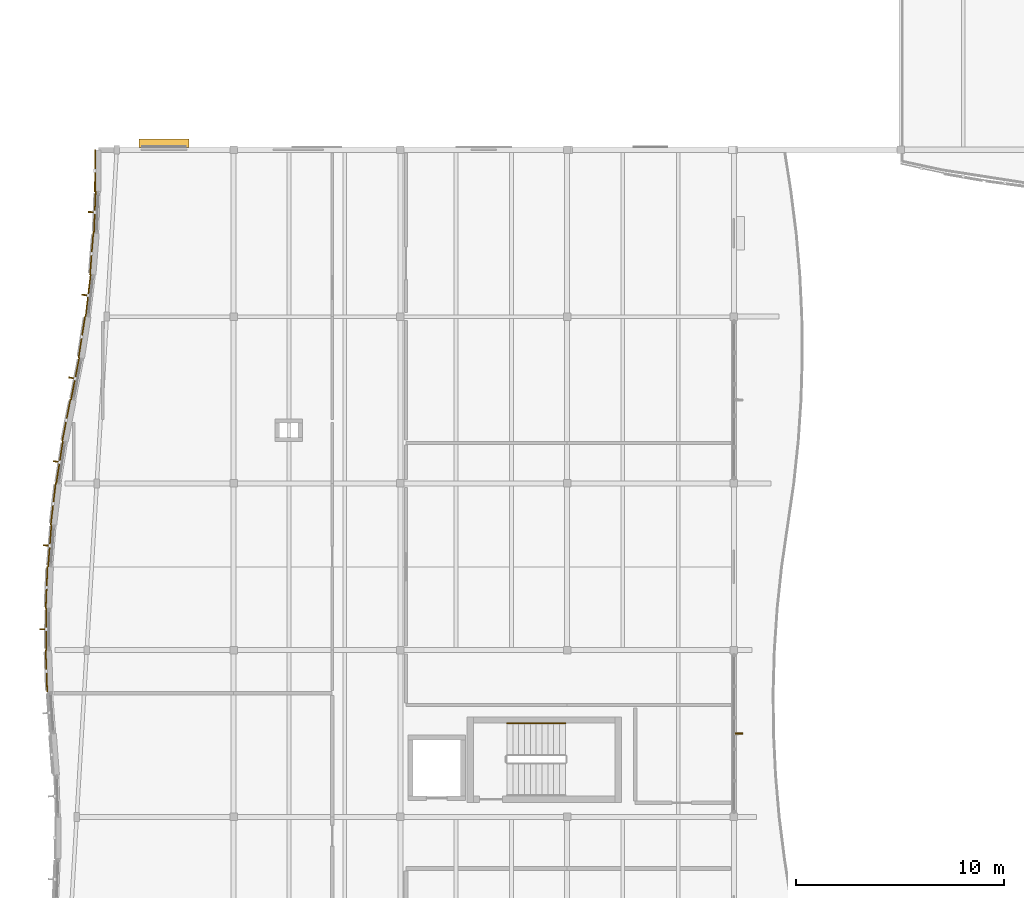
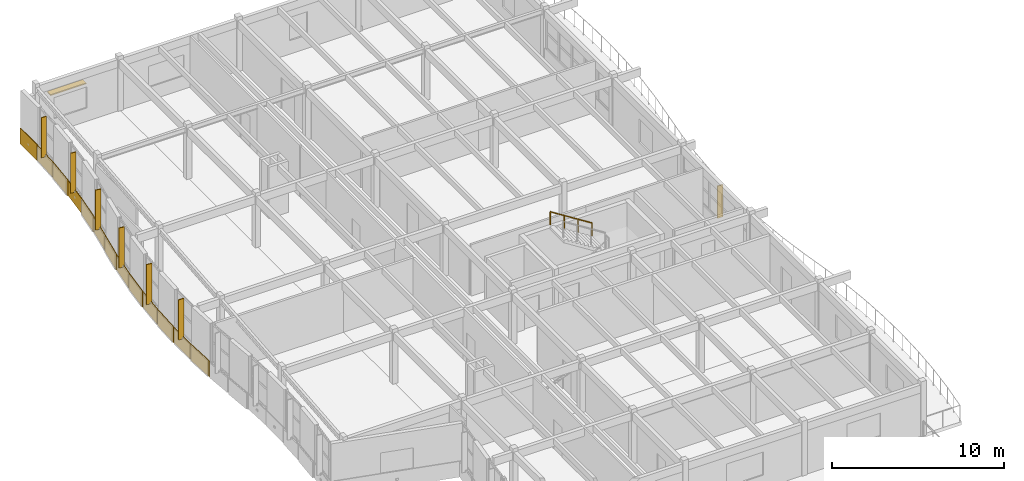
# One storey, part 55 of 63: 13 coverings, 8 shading devices, 1 railing.
"""IFC4 building model written with IfcOpenShell, lengths in metres."""

from ifc_helpers import new_model, si_unit, direction, frame, origin, origin_2d, place, context, subcontext, project, spatial, polyline, rectangle, circle, outline, extrude, material, layer, layer_set, type_object, element, save


model = new_model("IFC4")

# Units and contexts
model_context = context("Model", 3, precision=1e-05, world=origin(), true_north=direction((0.0, 1.0)))
body_context = subcontext(model_context, "Body", "Model", "MODEL_VIEW")
ifc_project = project(units=[si_unit("LENGTHUNIT", "METRE"), si_unit("AREAUNIT", "SQUARE_METRE"), si_unit("VOLUMEUNIT", "CUBIC_METRE"), si_unit("PLANEANGLEUNIT", "RADIAN"), si_unit("MASSUNIT", "GRAM", prefix="KILO")], contexts=[model_context])

# Site, building, storey
site_placement = place(None, origin())
site = spatial("IfcSite", under=ifc_project, at=site_placement, CompositionType="ELEMENT")
building_placement = place(site_placement, origin())
building = spatial("IfcBuilding", under=site, at=building_placement, Name="Tonlespit Floodbar School", CompositionType="ELEMENT")
storey_placement = place(building_placement, frame((0.0, 0.0, 8.39990234375)))
storey = spatial("IfcBuildingStorey", under=building, at=storey_placement, Name="L02", CompositionType="ELEMENT", Elevation=8.39990234375)

# Coverings
ifc_material_1 = material(Name="White Architectural Aluminium", Category="aluminium")
ifc_layer_1 = layer(ifc_material_1, 0.050048828125)
ifc_layer_set_1 = layer_set([ifc_layer_1], Name="White Architectural Aluminium")
covering_type = type_object("IfcCoveringType", Name="Cladding_WhiteBand_50", PredefinedType="CLADDING", material=ifc_layer_set_1)
covering_1_placement = place(storey_placement, frame((0.0, 0.0, -0.119873046875)))
element("IfcCovering", 1, at=covering_1_placement, inside=storey, type_object=covering_type, Name="L02 curved white spandrel cladding 0556", PredefinedType="CLADDING", context=body_context, shape_type="SweptSolid", body=[
    extrude(outline(polyline([(3.08837890625, 69.9951171875), (3.01513671875, 71.9951171875), (2.965087890625, 71.993408203125), (3.038330078125, 69.993408203125), (3.08837890625, 69.9951171875)])), origin(), (0.0, 0.0, 1.0), 1.119873046875),
])
covering_2_placement = place(storey_placement, frame((0.0, 0.0, -0.119873046875)))
element("IfcCovering", 2, at=covering_2_placement, inside=storey, type_object=covering_type, Name="L02 curved white spandrel cladding 0557", PredefinedType="CLADDING", context=body_context, shape_type="SweptSolid", body=[
    extrude(outline(polyline([(3.044921875, 72.000244140625), (3.04931640625, 74.000244140625), (2.99951171875, 74.000244140625), (2.9951171875, 72.000244140625), (3.044921875, 72.000244140625)])), origin(), (0.0, 0.0, 1.0), 1.070068359375),
])
covering_3_placement = place(storey_placement, frame((0.0, 0.0, -0.119873046875)))
element("IfcCovering", 3, at=covering_3_placement, inside=storey, type_object=covering_type, Name="L02 curved white spandrel cladding 0558", PredefinedType="CLADDING", context=body_context, shape_type="SweptSolid", body=[
    extrude(outline(polyline([(3.01953125, 74.00537109375), (3.10107421875, 76.00537109375), (3.051025390625, 76.00732421875), (2.969482421875, 74.00732421875), (3.01953125, 74.00537109375)])), origin(), (0.0, 0.0, 1.0), 1.119873046875),
])
covering_4_placement = place(storey_placement, frame((0.0, 0.0, -0.119873046875)))
element("IfcCovering", 4, at=covering_4_placement, inside=storey, type_object=covering_type, Name="L02 curved white spandrel cladding 0559", PredefinedType="CLADDING", context=body_context, shape_type="SweptSolid", body=[
    extrude(outline(polyline([(3.131103515625, 76.0078125), (3.289794921875, 78.0078125), (3.239990234375, 78.011962890625), (3.081298828125, 76.011962890625), (3.131103515625, 76.0078125)])), origin(), (0.0, 0.0, 1.0), 1.070068359375),
])
covering_5_placement = place(storey_placement, frame((0.0, 0.0, -0.119873046875)))
element("IfcCovering", 5, at=covering_5_placement, inside=storey, type_object=covering_type, Name="L02 curved white spandrel cladding 0560", PredefinedType="CLADDING", context=body_context, shape_type="SweptSolid", body=[
    extrude(outline(polyline([(3.26025390625, 78.01513671875), (3.495849609375, 80.01513671875), (3.4462890625, 80.02099609375), (3.210693359375, 78.02099609375), (3.26025390625, 78.01513671875)])), origin(), (0.0, 0.0, 1.0), 1.119873046875),
])
covering_6_placement = place(storey_placement, frame((0.0, 0.0, -0.119873046875)))
element("IfcCovering", 6, at=covering_6_placement, inside=storey, type_object=covering_type, Name="L02 curved white spandrel cladding 0561", PredefinedType="CLADDING", context=body_context, shape_type="SweptSolid", body=[
    extrude(outline(polyline([(3.526123046875, 80.015380859375), (3.83935546875, 82.015380859375), (3.7900390625, 82.023193359375), (3.476806640625, 80.023193359375), (3.526123046875, 80.015380859375)])), origin(), (0.0, 0.0, 1.0), 1.070068359375),
])
covering_7_placement = place(storey_placement, frame((0.0, 0.0, -0.119873046875)))
element("IfcCovering", 7, at=covering_7_placement, inside=storey, type_object=covering_type, Name="L02 curved white spandrel cladding 0562", PredefinedType="CLADDING", context=body_context, shape_type="SweptSolid", body=[
    extrude(outline(polyline([(3.810546875, 82.02490234375), (4.202392578125, 84.02490234375), (4.1533203125, 84.03466796875), (3.761474609375, 82.03466796875), (3.810546875, 82.02490234375)])), origin(), (0.0, 0.0, 1.0), 1.119873046875),
])
covering_8_placement = place(storey_placement, frame((0.0, 0.0, -0.119873046875)))
element("IfcCovering", 8, at=covering_8_placement, inside=storey, type_object=covering_type, Name="L02 curved white spandrel cladding 0563", PredefinedType="CLADDING", context=body_context, shape_type="SweptSolid", body=[
    extrude(outline(polyline([(4.23193359375, 84.019287109375), (4.623779296875, 86.019287109375), (4.57470703125, 86.02880859375), (4.182861328125, 84.02880859375), (4.23193359375, 84.019287109375)])), origin(), (0.0, 0.0, 1.0), 1.070068359375),
])
covering_9_placement = place(storey_placement, frame((0.0, 0.0, -0.119873046875)))
element("IfcCovering", 9, at=covering_9_placement, inside=storey, type_object=covering_type, Name="L02 curved white spandrel cladding 0564", PredefinedType="CLADDING", context=body_context, shape_type="SweptSolid", body=[
    extrude(outline(polyline([(4.593505859375, 86.02001953125), (4.906494140625, 88.02001953125), (4.857177734375, 88.02783203125), (4.5439453125, 86.02783203125), (4.593505859375, 86.02001953125)])), origin(), (0.0, 0.0, 1.0), 1.119873046875),
])
covering_10_placement = place(storey_placement, frame((0.0, 0.0, -0.119873046875)))
element("IfcCovering", 10, at=covering_10_placement, inside=storey, type_object=covering_type, Name="L02 curved white spandrel cladding 0565", PredefinedType="CLADDING", context=body_context, shape_type="SweptSolid", body=[
    extrude(outline(polyline([(4.935791015625, 88.01171875), (5.17138671875, 90.01171875), (5.12158203125, 90.017578125), (4.885986328125, 88.017578125), (4.935791015625, 88.01171875)])), origin(), (0.0, 0.0, 1.0), 1.070068359375),
])
covering_11_placement = place(storey_placement, frame((0.0, 0.0, -0.119873046875)))
element("IfcCovering", 11, at=covering_11_placement, inside=storey, type_object=covering_type, Name="L02 curved white spandrel cladding 0566", PredefinedType="CLADDING", context=body_context, shape_type="SweptSolid", body=[
    extrude(outline(polyline([(5.14111328125, 90.01025390625), (5.299560546875, 92.01025390625), (5.249755859375, 92.014404296875), (5.09130859375, 90.014404296875), (5.14111328125, 90.01025390625)])), origin(), (0.0, 0.0, 1.0), 1.119873046875),
])
covering_12_placement = place(storey_placement, frame((0.0, 0.0, -0.119873046875)))
element("IfcCovering", 12, at=covering_12_placement, inside=storey, type_object=covering_type, Name="L02 curved white spandrel cladding 0567", PredefinedType="CLADDING", context=body_context, shape_type="SweptSolid", body=[
    extrude(outline(polyline([(5.3291015625, 92.004150390625), (5.41064453125, 94.004150390625), (5.360595703125, 94.006103515625), (5.279296875, 92.006103515625), (5.3291015625, 92.004150390625)])), origin(), (0.0, 0.0, 1.0), 1.070068359375),
])
covering_13_placement = place(storey_placement, frame((0.0, 0.0, -0.119873046875)))
element("IfcCovering", 13, at=covering_13_placement, inside=storey, type_object=covering_type, Name="L02 curved white spandrel cladding 0568", PredefinedType="CLADDING", context=body_context, shape_type="SweptSolid", body=[
    extrude(outline(polyline([(5.380615234375, 94.000244140625), (5.385009765625, 96.000244140625), (5.3349609375, 96.00048828125), (5.33056640625, 94.00048828125), (5.380615234375, 94.000244140625)])), origin(), (0.0, 0.0, 1.0), 1.119873046875),
])

# Railing
ifc_material_2 = material(Name="Galvanised Steel", Category="steel")
railing_type = type_object("IfcRailingType", Name="Handrail_Int_920", PredefinedType="HANDRAIL", material=ifc_material_2)
railing_placement = place(storey_placement, frame((27.919921875, 68.489990234375, 2.12744140625)))
element("IfcRailing", 14, at=railing_placement, inside=storey, type_object=railing_type, Name="L02 ST-C3 stair handrail 2", PredefinedType="HANDRAIL", context=body_context, shape_type="SweptSolid", body=[
    extrude(circle(Radius=0.02392578125, at=origin_2d()), frame((0.0, 0.0, 0.89599609375), z_axis=(-0.844887892834, 0.0, 0.53494340686), x_axis=(0.0, -1.0, 0.0)), (0.0, 0.0, 1.0), 3.313720703125),
    extrude(circle(Radius=0.02099609375, at=origin_2d()), origin(), (0.0, 0.0, 1.0), 0.871826171875),
    extrude(circle(Radius=0.02099609375, at=origin_2d()), frame((-0.933349609375, 0.0, 0.5908203125)), (0.0, 0.0, 1.0), 0.871826171875),
    extrude(circle(Radius=0.02099609375, at=origin_2d()), frame((-1.866455078125, 0.0, 1.181884765625)), (0.0, 0.0, 1.0), 0.871826171875),
    extrude(circle(Radius=0.02099609375, at=origin_2d()), frame((-2.7998046875, 0.0, 1.772705078125)), (0.0, 0.0, 1.0), 0.871826171875),
])

# Shading devices
ifc_material_3 = material(Name="Anodised Aluminium", Category="aluminium")
ifc_layer_2 = layer(ifc_material_3, 0.080078125)
ifc_layer_set_2 = layer_set([ifc_layer_2], Name="Anodised Aluminium")
shading_device_type_1 = type_object("IfcShadingDeviceType", Name="Shading_MonsoonJalousie_400", PredefinedType="JALOUSIE", material=ifc_layer_set_2)
shading_device_1_placement = place(storey_placement, frame((8.66748046875, 96.318115234375, 2.469970703125), z_axis=(0.0, 0.0, 1.0), x_axis=(1.0, 0.0, 0.0)))
element("IfcShadingDevice", 15, at=shading_device_1_placement, inside=storey, type_object=shading_device_type_1, Name="L02 monsoon jalousie 165", PredefinedType="JALOUSIE", context=body_context, shape_type="SweptSolid", body=[
    extrude(rectangle(XDim=2.39990234375, YDim=0.39990234375, at=origin_2d()), origin(), (0.0, 0.0, 1.0), 0.080078125),
])
ifc_material_4 = material(Name="Terracotta Anodised Aluminium", Category="masonry")
ifc_layer_3 = layer(ifc_material_4, 0.06005859375)
ifc_layer_set_3 = layer_set([ifc_layer_3], Name="Terracotta Anodised Aluminium")
shading_device_type_2 = type_object("IfcShadingDeviceType", Name="Shading_SolarFin_350", PredefinedType="USERDEFINED", material=ifc_layer_set_3)
for number, where, z_axis, x_axis, name in (
    (16, (2.88720703125, 73.00048828125, 0.800048828125), (0.0, 0.0, 1.0), (0.00220085841, 0.999997578108, 0.0), "L02 vertical solar fin 159"),
    (17, (3.051025390625, 77.0205078125, 0.800048828125), (0.0, 0.0, 1.0), (0.079001948152, 0.996874461599, 0.0), "L02 vertical solar fin 160"),
    (18, (3.524658203125, 81.040283203125, 0.800048828125), (0.0, 0.0, 1.0), (0.154713834929, 0.987959325722, 0.0), "L02 vertical solar fin 161"),
    (19, (4.270751953125, 85.050048828125, 0.800048828125), (0.0, 0.0, 1.0), (0.192246217643, 0.98134672354, 0.0), "L02 vertical solar fin 162"),
    (20, (4.89453125, 89.030517578125, 0.800048828125), (0.0, 0.0, 1.0), (0.116991411823, 0.99313292643, 0.0), "L02 vertical solar fin 163"),
    (21, (5.210205078125, 93.010498046875, 0.800048828125), (0.0, 0.0, 1.0), (0.040715999914, 0.999170759856, 0.0), "L02 vertical solar fin 164"),
):
    element("IfcShadingDevice", number, at=place(storey_placement, frame(where, z_axis=z_axis, x_axis=x_axis)), inside=storey, type_object=shading_device_type_2, Name=name, ObjectType="SOLAR FIN", PredefinedType="USERDEFINED", context=body_context, shape_type="SweptSolid", body=[
        extrude(rectangle(XDim=0.06005859375, YDim=0.35009765625, at=origin_2d()), origin(), (0.0, 0.0, 1.0), 2.85009765625),
    ])
shading_device_2_placement = place(storey_placement, frame((36.25244140625, 68.0, 0.800048828125), z_axis=(0.0, 0.0, 1.0), x_axis=(0.0, -1.0, 0.0)))
element("IfcShadingDevice", 22, at=shading_device_2_placement, inside=storey, type_object=shading_device_type_2, Name="L02 vertical solar fin 168", ObjectType="SOLAR FIN", PredefinedType="USERDEFINED", context=body_context, shape_type="SweptSolid", body=[
    extrude(rectangle(XDim=0.06005859375, YDim=0.35009765625, at=origin_2d()), origin(), (0.0, 0.0, 1.0), 2.2900390625),
])

save(model, "model.ifc")
